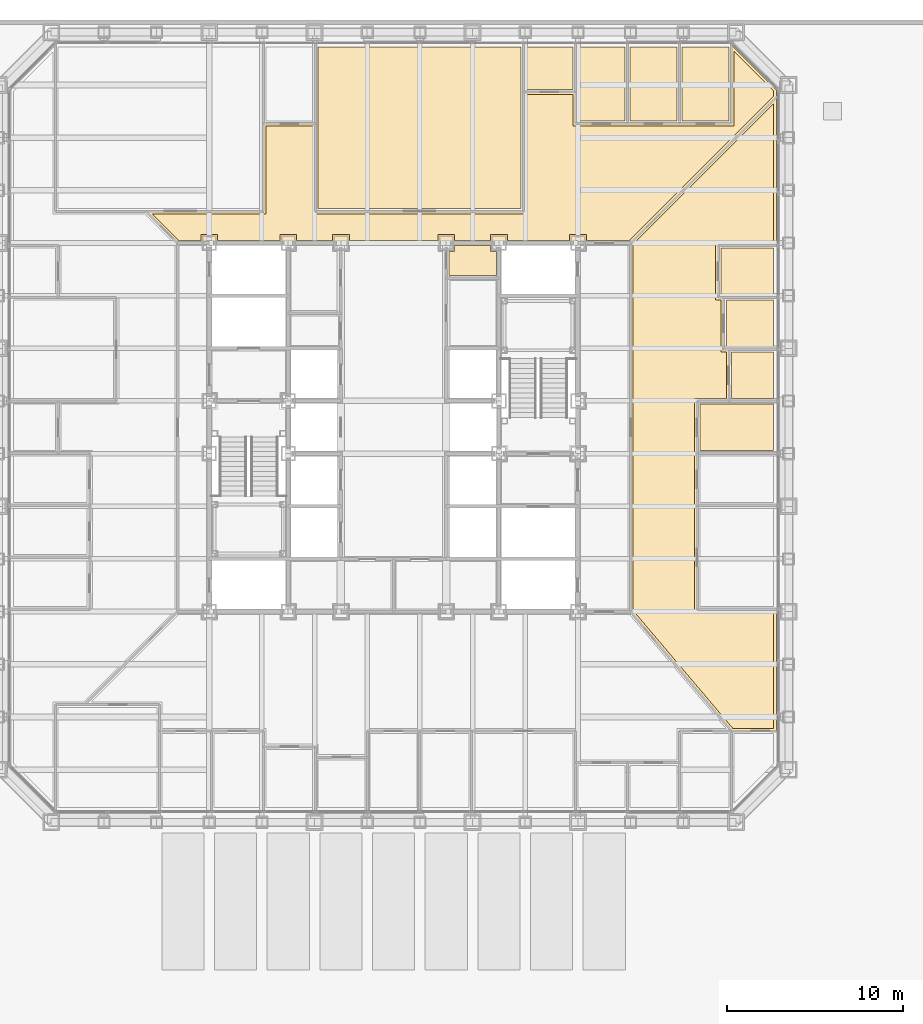
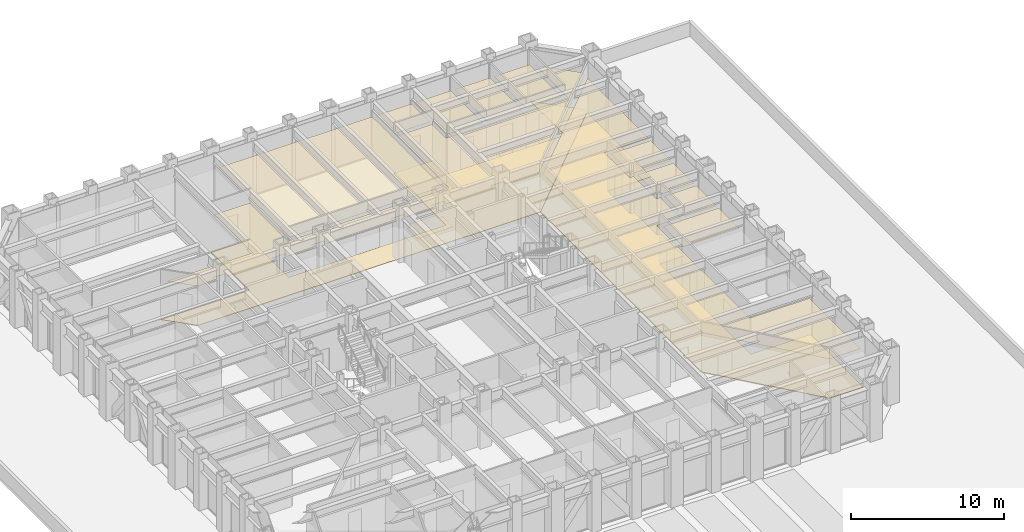
# One storey, part 18 of 18: 14 coverings.
"""IFC4 building model written with IfcOpenShell, lengths in metres."""

from ifc_helpers import new_model, si_unit, direction, frame, origin, place, context, subcontext, project, spatial, polyline, outline, extrude, material, layer, layer_set, type_object, element, save


model = new_model("IFC4")

# Units and contexts
model_context = context("Model", 3, precision=1e-05, world=origin(), true_north=direction((0.0, 1.0)))
body_context = subcontext(model_context, "Body", "Model", "MODEL_VIEW")
ifc_project = project(units=[si_unit("LENGTHUNIT", "METRE"), si_unit("AREAUNIT", "SQUARE_METRE"), si_unit("VOLUMEUNIT", "CUBIC_METRE"), si_unit("PLANEANGLEUNIT", "RADIAN"), si_unit("MASSUNIT", "GRAM", prefix="KILO")], contexts=[model_context])

# Site, building, storey
site_placement = place(None, origin())
site = spatial("IfcSite", under=ifc_project, at=site_placement, CompositionType="ELEMENT")
building_placement = place(site_placement, origin())
building = spatial("IfcBuilding", under=site, at=building_placement, Name="Chuquiago Exchange Tower", CompositionType="ELEMENT")
storey_placement = place(building_placement, frame((0.0, 0.0, 24.300048828125)))
storey = spatial("IfcBuildingStorey", under=building, at=storey_placement, Name="L04", CompositionType="ELEMENT", Elevation=24.300048828125)

# Coverings
ifc_material_1 = material(Name="Mineral fibre tile, 600 x 600, on pale metal grid", Category="mineral fibre")
ifc_layer_1 = layer(ifc_material_1, 0.02001953125)
ifc_layer_set_1 = layer_set([ifc_layer_1], Name="CL1 suspended tile ceiling 20")
covering_type_1 = type_object("IfcCoveringType", Name="CL1 suspended tile ceiling 20", PredefinedType="CEILING", material=ifc_layer_set_1)
covering_1_placement = place(storey_placement, frame((0.0, 0.0, 3.0)))
element("IfcCovering", 1, at=covering_1_placement, inside=storey, type_object=covering_type_1, Name="Ceiling Office", PredefinedType="CEILING", context=body_context, shape_type="SweptSolid", body=[
    extrude(outline(polyline([(39.949951171875, 21.169189453125), (39.949951171875, 23.830810546875), (44.14990234375, 23.830810546875), (44.14990234375, 21.169189453125), (39.949951171875, 21.169189453125)])), origin(), (0.0, 0.0, 1.0), 0.02001953125),
])
covering_2_placement = place(storey_placement, frame((0.0, 0.0, 3.0)))
element("IfcCovering", 2, at=covering_2_placement, inside=storey, type_object=covering_type_1, Name="Ceiling Focus room", PredefinedType="CEILING", context=body_context, shape_type="SweptSolid", body=[
    extrude(outline(polyline([(41.75, 24.130859375), (41.75, 26.79248046875), (44.14990234375, 26.79248046875), (44.14990234375, 24.130859375), (41.75, 24.130859375)])), origin(), (0.0, 0.0, 1.0), 0.02001953125),
])
covering_3_placement = place(storey_placement, frame((0.0, 0.0, 3.0)))
element("IfcCovering", 3, at=covering_3_placement, inside=storey, type_object=covering_type_1, Name="Ceiling Store", PredefinedType="CEILING", context=body_context, shape_type="SweptSolid", body=[
    extrude(outline(polyline([(41.449951171875, 27.092529296875), (41.449951171875, 29.75439453125), (44.14990234375, 29.75439453125), (44.14990234375, 27.092529296875), (41.449951171875, 27.092529296875)])), origin(), (0.0, 0.0, 1.0), 0.02001953125),
])
covering_4_placement = place(storey_placement, frame((0.0, 0.0, 3.0)))
element("IfcCovering", 4, at=covering_4_placement, inside=storey, type_object=covering_type_1, Name="Ceiling Pantry", PredefinedType="CEILING", context=body_context, shape_type="SweptSolid", body=[
    extrude(outline(polyline([(41.14990234375, 30.054443359375), (41.14990234375, 32.71630859375), (44.14990234375, 32.71630859375), (44.14990234375, 30.054443359375), (41.14990234375, 30.054443359375)])), origin(), (0.0, 0.0, 1.0), 0.02001953125),
])
covering_5_placement = place(storey_placement, frame((0.0, 0.0, 3.0)))
element("IfcCovering", 5, at=covering_5_placement, inside=storey, type_object=covering_type_1, Name="Ceiling Trading room", PredefinedType="CEILING", context=body_context, shape_type="SweptSolid", body=[
    extrude(outline(polyline([(29.75439453125, 34.949951171875), (18.20751953125, 34.949951171875), (18.20751953125, 44.14990234375), (29.75439453125, 44.14990234375), (29.75439453125, 34.949951171875)])), origin(), (0.0, 0.0, 1.0), 0.02001953125),
])
covering_6_placement = place(storey_placement, frame((0.0, 0.0, 3.0)))
element("IfcCovering", 6, at=covering_6_placement, inside=storey, type_object=covering_type_1, Name="Ceiling Focus room", PredefinedType="CEILING", context=body_context, shape_type="SweptSolid", body=[
    extrude(outline(polyline([(32.71630859375, 41.75), (30.054443359375, 41.75), (30.054443359375, 44.14990234375), (32.71630859375, 44.14990234375), (32.71630859375, 41.75)])), origin(), (0.0, 0.0, 1.0), 0.02001953125),
])
covering_7_placement = place(storey_placement, frame((0.0, 0.0, 3.0)))
element("IfcCovering", 7, at=covering_7_placement, inside=storey, type_object=covering_type_1, Name="Ceiling Office", PredefinedType="CEILING", context=body_context, shape_type="SweptSolid", body=[
    extrude(outline(polyline([(35.677978515625, 39.949951171875), (33.01611328125, 39.949951171875), (33.01611328125, 44.14990234375), (35.677978515625, 44.14990234375), (35.677978515625, 39.949951171875)])), origin(), (0.0, 0.0, 1.0), 0.02001953125),
])
covering_8_placement = place(storey_placement, frame((0.0, 0.0, 3.0)))
element("IfcCovering", 8, at=covering_8_placement, inside=storey, type_object=covering_type_1, Name="Ceiling Office", PredefinedType="CEILING", context=body_context, shape_type="SweptSolid", body=[
    extrude(outline(polyline([(38.6396484375, 39.949951171875), (35.977783203125, 39.949951171875), (35.977783203125, 44.14990234375), (38.6396484375, 44.14990234375), (38.6396484375, 39.949951171875)])), origin(), (0.0, 0.0, 1.0), 0.02001953125),
])
covering_9_placement = place(storey_placement, frame((0.0, 0.0, 3.0)))
element("IfcCovering", 9, at=covering_9_placement, inside=storey, type_object=covering_type_1, Name="Ceiling Meeting room", PredefinedType="CEILING", context=body_context, shape_type="SweptSolid", body=[
    extrude(outline(polyline([(41.6015625, 39.949951171875), (38.939697265625, 39.949951171875), (38.939697265625, 44.14990234375), (41.6015625, 44.14990234375), (41.6015625, 39.949951171875)])), origin(), (0.0, 0.0, 1.0), 0.02001953125),
])
covering_10_placement = place(storey_placement, frame((0.0, 0.0, 3.0)))
element("IfcCovering", 10, at=covering_10_placement, inside=storey, type_object=covering_type_1, Name="Ceiling Trading floor north", PredefinedType="CEILING", context=body_context, shape_type="SweptSolid", body=[
    extrude(outline(polyline([(15.24560546875, 39.64990234375), (17.907470703125, 39.64990234375), (17.907470703125, 34.64990234375), (30.054443359375, 34.64990234375), (30.054443359375, 41.449951171875), (32.71630859375, 41.449951171875), (32.71630859375, 39.64990234375), (41.901611328125, 39.64990234375), (41.901611328125, 43.896484375), (44.14990234375, 41.64794921875), (44.14990234375, 41.36279296875), (35.9375, 33.14990234375), (33.47509765625, 33.14990234375), (33.47509765625, 33.47509765625), (32.52490234375, 33.47509765625), (32.52490234375, 33.14990234375), (28.97509765625, 33.14990234375), (28.97509765625, 33.47509765625), (28.02490234375, 33.47509765625), (28.02490234375, 33.14990234375), (25.97509765625, 33.14990234375), (25.97509765625, 33.47509765625), (25.02490234375, 33.47509765625), (25.02490234375, 33.14990234375), (19.97509765625, 33.14990234375), (19.97509765625, 33.47509765625), (19.02490234375, 33.47509765625), (19.02490234375, 33.14990234375), (16.97509765625, 33.14990234375), (16.97509765625, 33.47509765625), (16.02490234375, 33.47509765625), (16.02490234375, 33.14990234375), (12.47509765625, 33.14990234375), (12.47509765625, 33.47509765625), (11.52490234375, 33.47509765625), (11.52490234375, 33.14990234375), (10.2626953125, 33.14990234375), (8.7626953125, 34.64990234375), (15.24560546875, 34.64990234375), (15.24560546875, 39.64990234375)])), origin(), (0.0, 0.0, 1.0), 0.02001953125),
])
covering_11_placement = place(storey_placement, frame((0.0, 0.0, 3.0)))
element("IfcCovering", 11, at=covering_11_placement, inside=storey, type_object=covering_type_1, Name="Ceiling Trading floor east", PredefinedType="CEILING", context=body_context, shape_type="SweptSolid", body=[
    extrude(outline(polyline([(40.85009765625, 33.01611328125), (40.85009765625, 29.75439453125), (41.14990234375, 29.75439453125), (41.14990234375, 26.79248046875), (41.449951171875, 26.79248046875), (41.449951171875, 24.130859375), (39.64990234375, 24.130859375), (39.64990234375, 11.98388671875), (44.14990234375, 11.98388671875), (44.14990234375, 5.35009765625), (41.821533203125, 5.35009765625), (36.14990234375, 12.055419921875), (36.14990234375, 32.9375), (44.14990234375, 40.937255859375), (44.14990234375, 33.01611328125), (40.85009765625, 33.01611328125)])), origin(), (0.0, 0.0, 1.0), 0.02001953125),
])
ifc_material_2 = material(Name="Moisture resistant plasterboard on metal frame", Category="gypsum")
ifc_layer_2 = layer(ifc_material_2, 0.014892578125)
ifc_layer_set_2 = layer_set([ifc_layer_2], Name="CL2 moisture resistant ceiling 15")
covering_type_2 = type_object("IfcCoveringType", Name="CL2 moisture resistant ceiling 15", PredefinedType="CEILING", material=ifc_layer_set_2)
covering_12_placement = place(storey_placement, frame((0.0, 0.0, 2.599853515625)))
element("IfcCovering", 12, at=covering_12_placement, inside=storey, type_object=covering_type_2, Name="Ceiling Staff shower room", PredefinedType="CEILING", context=body_context, shape_type="SweptSolid", body=[
    extrude(outline(polyline([(25.64990234375, 31.14990234375), (25.64990234375, 32.52490234375), (25.97509765625, 32.52490234375), (25.97509765625, 32.85009765625), (28.02490234375, 32.85009765625), (28.02490234375, 32.52490234375), (28.35009765625, 32.52490234375), (28.35009765625, 31.14990234375), (25.64990234375, 31.14990234375)])), origin(), (0.0, 0.0, 1.0), 0.01513671875),
])
ifc_material_3 = material(Name="Steel raised floor panel", Category="steel")
ifc_layer_3 = layer(ifc_material_3, 0.0400390625)
ifc_layer_set_3 = layer_set([ifc_layer_3], Name="RF1 raised access floor 40")
covering_type_3 = type_object("IfcCoveringType", Name="RF1 raised access floor 40", PredefinedType="FLOORING", material=ifc_layer_set_3)
covering_13_placement = place(storey_placement, frame((0.0, 0.0, -0.0400390625)))
element("IfcCovering", 13, at=covering_13_placement, inside=storey, type_object=covering_type_3, Name="Raised access floor Trading floor north", PredefinedType="FLOORING", context=body_context, shape_type="SweptSolid", body=[
    extrude(outline(polyline([(15.095703125, 34.800048828125), (15.095703125, 39.800048828125), (18.057373046875, 39.800048828125), (18.057373046875, 34.800048828125), (29.904296875, 34.800048828125), (29.904296875, 41.60009765625), (32.8662109375, 41.60009765625), (32.8662109375, 39.800048828125), (41.75146484375, 39.800048828125), (41.75146484375, 44.258544921875), (44.300048828125, 41.710205078125), (44.300048828125, 41.30078125), (35.99951171875, 33.0), (10.200439453125, 33.0), (8.400634765625, 34.800048828125), (15.095703125, 34.800048828125)])), origin(), (0.0, 0.0, 1.0), 0.0400390625),
])
covering_14_placement = place(storey_placement, frame((0.0, 0.0, -0.0400390625)))
element("IfcCovering", 14, at=covering_14_placement, inside=storey, type_object=covering_type_3, Name="Raised access floor Trading floor east", PredefinedType="FLOORING", context=body_context, shape_type="SweptSolid", body=[
    extrude(outline(polyline([(44.300048828125, 32.8662109375), (41.0, 32.8662109375), (41.0, 29.904296875), (41.300048828125, 29.904296875), (41.300048828125, 26.942626953125), (41.60009765625, 26.942626953125), (41.60009765625, 23.98095703125), (39.800048828125, 23.98095703125), (39.800048828125, 12.1337890625), (44.300048828125, 12.1337890625), (44.300048828125, 5.199951171875), (41.751953125, 5.199951171875), (36.0, 12.00048828125), (36.0, 32.99951171875), (44.300048828125, 41.29931640625), (44.300048828125, 32.8662109375)])), origin(), (0.0, 0.0, 1.0), 0.0400390625),
])

save(model, "model.ifc")
